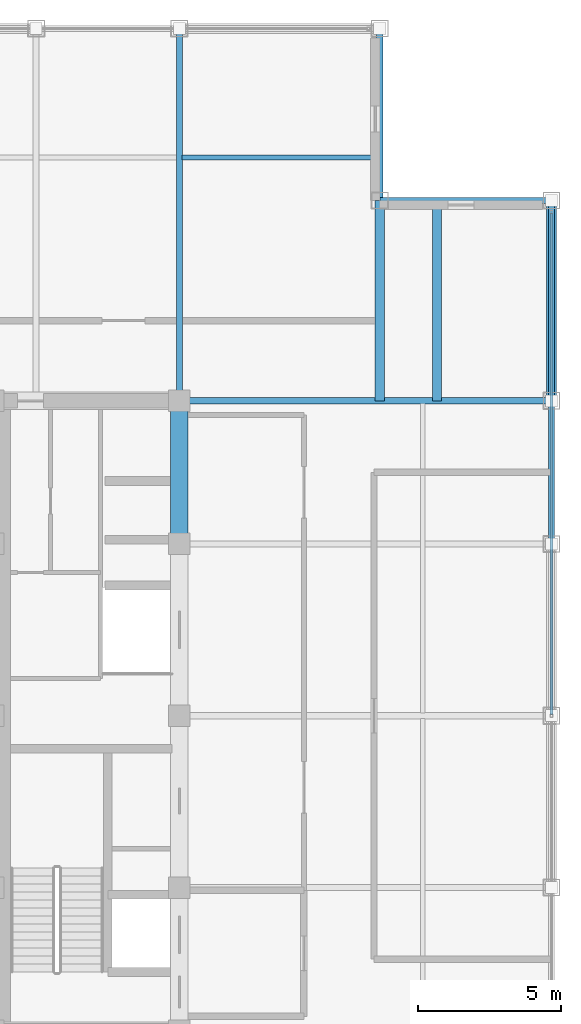
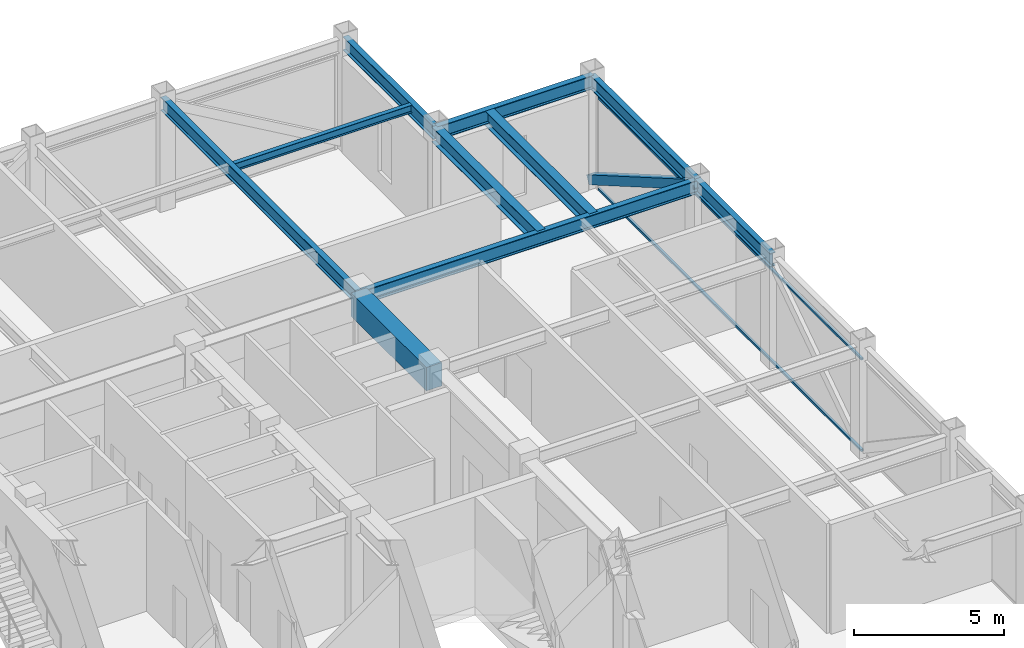
# One storey, part 19 of 27: 10 beams, 3 members, 1 element without a shape of its own.
"""IFC4 building model written with IfcOpenShell, lengths in metres."""

from ifc_helpers import new_model, si_unit, direction, frame, origin, origin_2d, place, context, subcontext, project, spatial, rectangle, hollow_rectangle, i_section, extrude, source, transform, mapped, material, material_profile, profile_set, type_object, element, aggregate, save


model = new_model("IFC4")

# Units and contexts
model_context = context("Model", 3, precision=1e-05, world=origin(), true_north=direction((0.0, 1.0)))
body_context = subcontext(model_context, "Body", "Model", "MODEL_VIEW")
ifc_project = project(units=[si_unit("LENGTHUNIT", "METRE"), si_unit("AREAUNIT", "SQUARE_METRE"), si_unit("VOLUMEUNIT", "CUBIC_METRE"), si_unit("PLANEANGLEUNIT", "RADIAN"), si_unit("MASSUNIT", "GRAM", prefix="KILO")], contexts=[model_context])

# Site, building, storey
site_placement = place(None, origin())
site = spatial("IfcSite", under=ifc_project, at=site_placement, CompositionType="ELEMENT")
building_placement = place(site_placement, origin())
building = spatial("IfcBuilding", under=site, at=building_placement, Name="Khorayat Bourse Tower", CompositionType="ELEMENT")
storey_placement = place(building_placement, frame((0.0, 0.0, 385.10009765625)))
storey = spatial("IfcBuildingStorey", under=building, at=storey_placement, Name="L91", CompositionType="ELEMENT", Elevation=385.10009765625)

# Beams
ifc_material_1 = material(Name="Concrete C60/75", Category="concrete")
ifc_material_profile_1 = material_profile(ifc_material_1, rectangle(XDim=0.60009765625, YDim=0.949951171875, at=origin_2d()), Name="RC 600x950")
ifc_profile_set_1 = profile_set([ifc_material_profile_1], Name="Concrete C60/75")
beam_type_1 = type_object("IfcBeamType", Name="BM-COUP-950", PredefinedType="BEAM", material=ifc_profile_set_1)
shared_shape_1 = source(origin(), body_context, "Body", "SweptSolid", [
    extrude(rectangle(XDim=0.60009765625, YDim=0.949951171875, at=origin_2d()), origin(), (0.0, 0.0, 1.0), 5.0),
])
beam_1_placement = place(storey_placement, frame((11.0, 6.0, 3.974853515625), z_axis=(0.0, 1.0, 0.0), x_axis=(-1.0, 0.0, 0.0)))
element("IfcBeam", 1, at=beam_1_placement, inside=storey, type_object=beam_type_1, Name="L91 BM-COUP-950 BM-L91-CRX-16", PredefinedType="BEAM", context=body_context, shape_type="MappedRepresentation", body=[
    mapped(shared_shape_1, transform((0.0, 0.0, 0.0), scale=1.0)),
])
ifc_material_2 = material(Name="Steel ASTM A992 Grade 50", Category="steel")
ifc_material_profile_2 = material_profile(ifc_material_2, i_section(OverallWidth=0.214111328125, OverallDepth=0.549072265625, WebThickness=0.0146484375, FlangeThickness=0.023681640625, FilletRadius=0.013916015625, at=origin_2d()), Name="W530X138")
ifc_profile_set_2 = profile_set([ifc_material_profile_2], Name="Steel ASTM A992 Grade 50")
beam_type_2 = type_object("IfcBeamType", Name="BM-SPAN-530", PredefinedType="SPANDREL", material=ifc_profile_set_2)
shared_shape_2 = source(origin(), body_context, "Body", "SweptSolid", [
    extrude(i_section(OverallWidth=0.214111328125, OverallDepth=0.549072265625, WebThickness=0.0146484375, FlangeThickness=0.023681640625, FilletRadius=0.013916015625, at=origin_2d()), origin(), (0.0, 0.0, 1.0), 5.0),
])
beam_2_placement = place(storey_placement, frame((24.0, 6.0, 4.17529296875), z_axis=(0.0, 1.0, 0.0), x_axis=(-1.0, 0.0, 0.0)))
element("IfcBeam", 2, at=beam_2_placement, inside=storey, type_object=beam_type_2, Name="L91 BM-SPAN-530 BM-L91-SPN-036", PredefinedType="SPANDREL", context=body_context, shape_type="MappedRepresentation", body=[
    mapped(shared_shape_2, transform((0.0, 0.0, 0.0), scale=1.0)),
])
shared_shape_3 = source(origin(), body_context, "Body", "SweptSolid", [
    extrude(i_section(OverallWidth=0.214111328125, OverallDepth=0.549072265625, WebThickness=0.0146484375, FlangeThickness=0.023681640625, FilletRadius=0.013916015625, at=origin_2d()), origin(), (0.0, 0.0, 1.0), 6.0),
])
for number, where, z_axis, x_axis, name in (
    (3, (18.0, 18.0, 4.17529296875), (1.0, 0.0, 0.0), (0.0, 1.0, 0.0), "L91 BM-SPAN-530 BM-L91-SPN-038"),
    (4, (18.0, 18.0, 4.17529296875), (0.0, 1.0, 0.0), (-1.0, 0.0, 0.0), "L91 BM-SPAN-530 BM-L91-SPN-039"),
):
    element("IfcBeam", number, at=place(storey_placement, frame(where, z_axis=z_axis, x_axis=x_axis)), inside=storey, type_object=beam_type_2, Name=name, PredefinedType="SPANDREL", context=body_context, shape_type="MappedRepresentation", body=[
        mapped(shared_shape_3, transform((0.0, 0.0, 0.0), scale=1.0)),
    ])
shared_shape_4 = source(origin(), body_context, "Body", "SweptSolid", [
    extrude(i_section(OverallWidth=0.214111328125, OverallDepth=0.549072265625, WebThickness=0.0146484375, FlangeThickness=0.023681640625, FilletRadius=0.013916015625, at=origin_2d()), origin(), (0.0, 0.0, 1.0), 7.0),
])
beam_3_placement = place(storey_placement, frame((24.0, 11.0, 4.17529296875), z_axis=(0.0, 1.0, 0.0), x_axis=(-1.0, 0.0, 0.0)))
element("IfcBeam", 5, at=beam_3_placement, inside=storey, type_object=beam_type_2, Name="L91 BM-SPAN-530 BM-L91-SPN-037", PredefinedType="SPANDREL", context=body_context, shape_type="MappedRepresentation", body=[
    mapped(shared_shape_4, transform((0.0, 0.0, 0.0), scale=1.0)),
])
ifc_material_profile_3 = material_profile(ifc_material_2, i_section(OverallWidth=0.214111328125, OverallDepth=0.549072265625, WebThickness=0.0146484375, FlangeThickness=0.023681640625, FilletRadius=0.013916015625, at=origin_2d()), Name="W530X138")
ifc_profile_set_3 = profile_set([ifc_material_profile_3], Name="Steel ASTM A992 Grade 50")
beam_type_3 = type_object("IfcBeamType", Name="BM-GIRD-530", PredefinedType="BEAM", material=ifc_profile_set_3)
shared_shape_5 = source(origin(), body_context, "Body", "SweptSolid", [
    extrude(i_section(OverallWidth=0.214111328125, OverallDepth=0.549072265625, WebThickness=0.0146484375, FlangeThickness=0.023681640625, FilletRadius=0.013916015625, at=origin_2d()), origin(), (0.0, 0.0, 1.0), 13.0),
])
for number, where, z_axis, x_axis, name in (
    (6, (11.0, 11.0, 4.17529296875), (0.0, 1.0, 0.0), (-1.0, 0.0, 0.0), "L91 BM-GIRD-530 BM-L91-RADY-064"),
    (7, (11.0, 11.0, 4.17529296875), (1.0, 0.0, 0.0), (0.0, 1.0, 0.0), "L91 BM-GIRD-530 BM-L91-RADX-074"),
):
    element("IfcBeam", number, at=place(storey_placement, frame(where, z_axis=z_axis, x_axis=x_axis)), inside=storey, type_object=beam_type_3, Name=name, PredefinedType="BEAM", context=body_context, shape_type="MappedRepresentation", body=[
        mapped(shared_shape_5, transform((0.0, 0.0, 0.0), scale=1.0)),
    ])
ifc_material_profile_4 = material_profile(ifc_material_2, i_section(OverallWidth=0.324951171875, OverallDepth=0.615966796875, WebThickness=0.013916015625, FlangeThickness=0.021484375, FilletRadius=0.01611328125, at=origin_2d()), Name="W610X174")
ifc_profile_set_4 = profile_set([ifc_material_profile_4], Name="Steel ASTM A992 Grade 50")
beam_type_4 = type_object("IfcBeamType", Name="BM-GIRD-610", PredefinedType="BEAM", material=ifc_profile_set_4)
shared_shape_6 = source(origin(), body_context, "Body", "SweptSolid", [
    extrude(i_section(OverallWidth=0.324951171875, OverallDepth=0.615966796875, WebThickness=0.013916015625, FlangeThickness=0.021484375, FilletRadius=0.01611328125, at=origin_2d()), origin(), (0.0, 0.0, 1.0), 7.0),
])
for number, where, z_axis, x_axis, name in (
    (8, (18.0, 11.0, 4.141845703125), (0.0, 1.0, 0.0), (-1.0, 0.0, 0.0), "L91 BM-GIRD-610 BM-L91-CNRY-079"),
    (9, (20.0, 11.0, 4.141845703125), (0.0, 1.0, 0.0), (-1.0, 0.0, 0.0), "L91 BM-GIRD-610 BM-L91-CNRY-083"),
):
    element("IfcBeam", number, at=place(storey_placement, frame(where, z_axis=z_axis, x_axis=x_axis)), inside=storey, type_object=beam_type_4, Name=name, PredefinedType="BEAM", context=body_context, shape_type="MappedRepresentation", body=[
        mapped(shared_shape_6, transform((0.0, 0.0, 0.0), scale=1.0)),
    ])
ifc_material_profile_5 = material_profile(ifc_material_2, i_section(OverallWidth=0.1669921875, OverallDepth=0.31689453125, WebThickness=0.007568359375, FlangeThickness=0.01318359375, FilletRadius=0.010009765625, at=origin_2d()), Name="W310X52")
ifc_profile_set_5 = profile_set([ifc_material_profile_5], Name="Steel ASTM A992 Grade 50")
beam_type_5 = type_object("IfcBeamType", Name="BM-JOIST-310", PredefinedType="JOIST", material=ifc_profile_set_5)
shared_shape_7 = source(origin(), body_context, "Body", "SweptSolid", [
    extrude(i_section(OverallWidth=0.1669921875, OverallDepth=0.31689453125, WebThickness=0.007568359375, FlangeThickness=0.01318359375, FilletRadius=0.010009765625, at=origin_2d()), origin(), (0.0, 0.0, 1.0), 6.81005859375),
])
beam_4_placement = place(storey_placement, frame((11.094970703125, 19.5, 4.29150390625), z_axis=(1.0, 0.0, 0.0), x_axis=(0.0, 1.0, 0.0)))
element("IfcBeam", 10, at=beam_4_placement, inside=storey, type_object=beam_type_5, Name="L91 BM-JOIST-310 BM-L91-JSTX-089", PredefinedType="JOIST", context=body_context, shape_type="MappedRepresentation", body=[
    mapped(shared_shape_7, transform((0.0, 0.0, 0.0), scale=1.0)),
])

# Member
ifc_material_3 = material(Name="Steel EN 10025-2 S355J2", Category="steel")
ifc_material_profile_6 = material_profile(ifc_material_3, hollow_rectangle(XDim=0.35009765625, YDim=0.35009765625, WallThickness=0.02001953125, at=origin_2d()), Name="HSS 350x350x20")
ifc_profile_set_6 = profile_set([ifc_material_profile_6], Name="Steel EN 10025-2 S355J2")
member_type_1 = type_object("IfcMemberType", Name="MBR-CROWN-350", PredefinedType="USERDEFINED", material=ifc_profile_set_6)
shared_shape_8 = source(origin(), body_context, "Body", "SweptSolid", [
    extrude(hollow_rectangle(XDim=0.35009765625, YDim=0.35009765625, WallThickness=0.02001953125, at=origin_2d()), origin(), (0.0, 0.0, 1.0), 8.087158203125),
])
member_1_placement = place(storey_placement, frame((24.0, 11.0, 4.25), z_axis=(0.0, 0.865564731219, -0.500797060763), x_axis=(-1.0, 0.0, 0.0)))
element("IfcMember", 11, at=member_1_placement, inside=storey, type_object=member_type_1, Name="L91 Lantern Crown Frame Member 16", ObjectType="CROWN FRAME", PredefinedType="USERDEFINED", context=body_context, shape_type="MappedRepresentation", body=[
    mapped(shared_shape_8, transform((0.0, 0.0, 0.0), scale=1.0)),
])

# Curtain wall, members
ifc_material_4 = material(Name="Aluminium EN AW-6063 T6", Category="aluminium")
curtain_wall_type = type_object("IfcCurtainWallType", Name="CW-SYS-07", PredefinedType="NOTDEFINED", material=ifc_material_4)
curtain_wall_placement = place(storey_placement, origin())
curtain_wall = element("IfcCurtainWall", 12, at=curtain_wall_placement, inside=storey, type_object=curtain_wall_type, Name="L91 Curtain Wall CW-L91-E1", PredefinedType="NOTDEFINED")
ifc_material_profile_7 = material_profile(ifc_material_4, hollow_rectangle(XDim=0.090087890625, YDim=0.090087890625, WallThickness=0.00390625, at=origin_2d()), Name="ALU 90x90x4")
ifc_profile_set_7 = profile_set([ifc_material_profile_7], Name="Aluminium EN AW-6063 T6")
member_type_2 = type_object("IfcMemberType", Name="CWT-HORZ-90", PredefinedType="USERDEFINED", material=ifc_profile_set_7)
shared_shape_9 = source(origin(), body_context, "Body", "SweptSolid", [
    extrude(hollow_rectangle(XDim=0.090087890625, YDim=0.090087890625, WallThickness=0.00390625, at=origin_2d()), origin(), (0.0, 0.0, 1.0), 17.5),
])
member_2_placement = place(storey_placement, frame((24.0, 0.050048828125, 0.044921875), z_axis=(0.0, 1.0, 0.0), x_axis=(-1.0, 0.0, 0.0)))
member_2 = element("IfcMember", 13, at=member_2_placement, type_object=member_type_2, Name="CW-L91-E1 Horizontal Transom 2-1", ObjectType="TRANSOM", PredefinedType="USERDEFINED", context=body_context, shape_type="MappedRepresentation", body=[
    mapped(shared_shape_9, transform((0.0, 0.0, 0.0), scale=1.0)),
])
member_3_placement = place(storey_placement, frame((24.0, 0.050048828125, 3.7548828125), z_axis=(0.0, 1.0, 0.0), x_axis=(-1.0, 0.0, 0.0)))
member_3 = element("IfcMember", 14, at=member_3_placement, type_object=member_type_2, Name="CW-L91-E1 Horizontal Transom 2-2", ObjectType="TRANSOM", PredefinedType="USERDEFINED", context=body_context, shape_type="MappedRepresentation", body=[
    mapped(shared_shape_9, transform((0.0, 0.0, 0.0), scale=1.0)),
])
aggregate(curtain_wall, [member_2, member_3])

save(model, "model.ifc")
